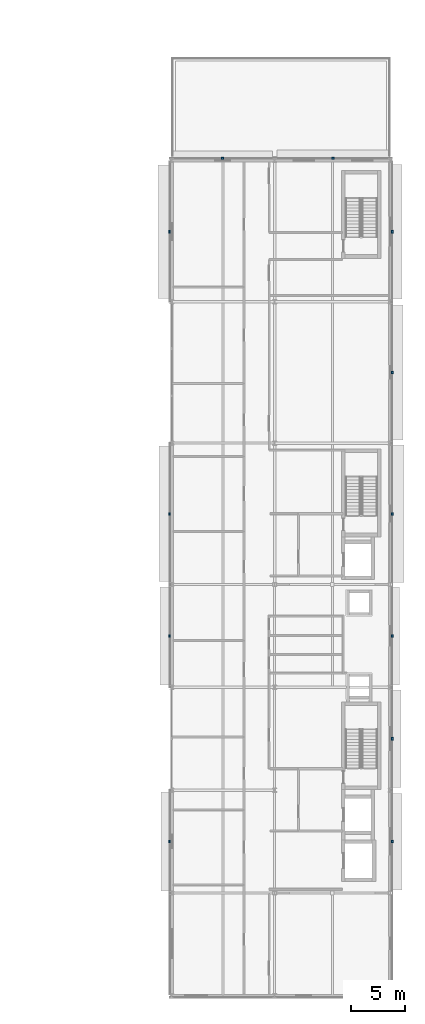
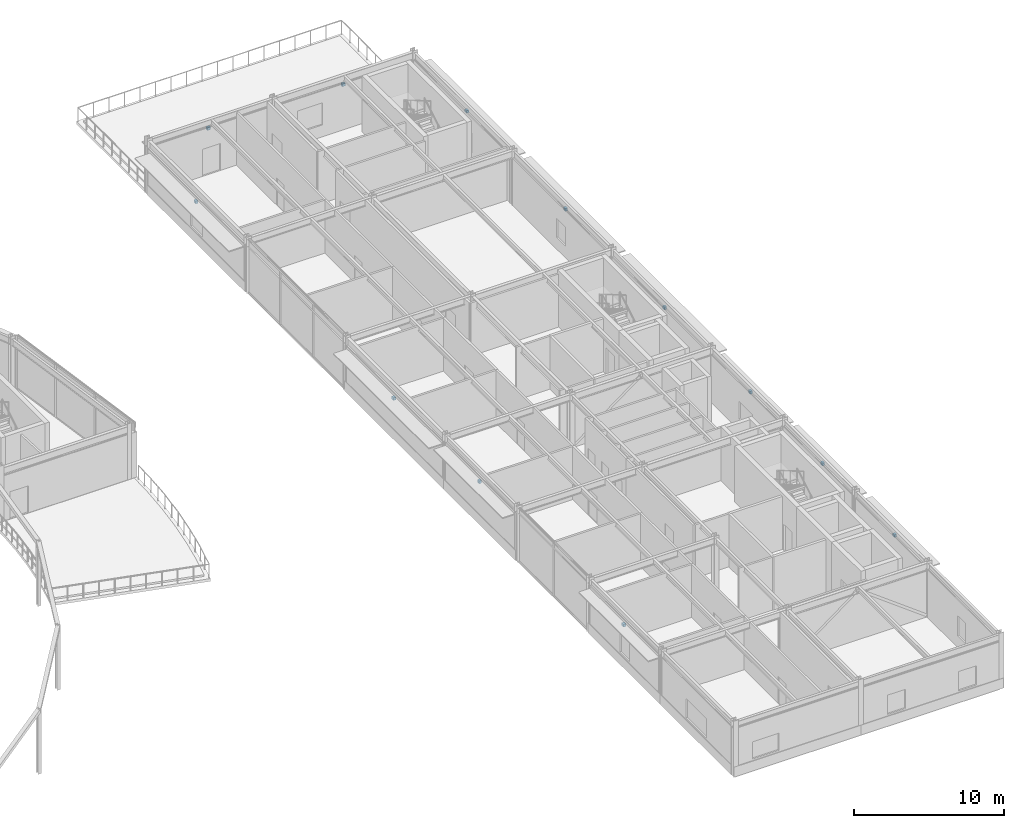
# One storey, part 75 of 89: 12 discrete accessories.
"""IFC4 building model written with IfcOpenShell, lengths in metres."""

from ifc_helpers import new_model, si_unit, direction, frame, origin, origin_2d, place, context, subcontext, project, spatial, rectangle, extrude, material, layer, layer_set, type_object, element, save


model = new_model("IFC4")

# Units and contexts
model_context = context("Model", 3, precision=1e-05, world=origin(), true_north=direction((0.0, 1.0)))
body_context = subcontext(model_context, "Body", "Model", "MODEL_VIEW")
ifc_project = project(units=[si_unit("LENGTHUNIT", "METRE"), si_unit("AREAUNIT", "SQUARE_METRE"), si_unit("VOLUMEUNIT", "CUBIC_METRE"), si_unit("PLANEANGLEUNIT", "RADIAN"), si_unit("MASSUNIT", "GRAM", prefix="KILO")], contexts=[model_context])

# Site, building, storey
site_placement = place(None, origin())
site = spatial("IfcSite", under=ifc_project, at=site_placement, CompositionType="ELEMENT")
building_placement = place(site_placement, origin())
building = spatial("IfcBuilding", under=site, at=building_placement, Name="Almandine Court Research Institute", CompositionType="ELEMENT")
storey_placement = place(building_placement, frame((0.0, 0.0, 18.89990234375)))
storey = spatial("IfcBuildingStorey", under=building, at=storey_placement, Name="L04", CompositionType="ELEMENT", Elevation=18.89990234375)

# Discrete accessories
ifc_material = material(Name="Galvanised Steel Facade Outrigger Bracket", Category="steel")
ifc_layer = layer(ifc_material, 0.219970703125)
ifc_layer_set = layer_set([ifc_layer], Name="Galvanised Steel Facade Outrigger Bracket")
discrete_accessory_type = type_object("IfcDiscreteAccessoryType", Name="Acc-CHJ-BRACKET", PredefinedType="BRACKET", material=ifc_layer_set)
for number, where, z_axis, x_axis, name in (
    (1, (153.39501953125, 20.39990234375, 3.462890625), (0.0, 0.0, 1.0), (0.0, 1.0, 0.0), "L04 Chhajja Outrigger Bracket 116"),
    (2, (153.39501953125, 39.60009765625, 3.462890625), (0.0, 0.0, 1.0), (0.0, 1.0, 0.0), "L04 Chhajja Outrigger Bracket 117"),
    (3, (153.39501953125, 51.0, 3.31201171875), (0.0, 0.0, 1.0), (0.0, 1.0, 0.0), "L04 Chhajja Outrigger Bracket 118"),
    (4, (153.39501953125, 77.327880859375, 3.31201171875), (0.0, 0.0, 1.0), (0.0, 1.0, 0.0), "L04 Chhajja Outrigger Bracket 119"),
    (5, (158.325927734375, 84.205078125, 3.3798828125), (0.0, 0.0, 1.0), (1.0, 0.0, 0.0), "L04 Chhajja Outrigger Bracket 120"),
    (6, (168.675048828125, 84.205078125, 3.30419921875), (0.0, 0.0, 1.0), (1.0, 0.0, 0.0), "L04 Chhajja Outrigger Bracket 121"),
    (7, (174.205078125, 77.327880859375, 3.38623046875), (0.0, 0.0, 1.0), (0.0, -1.0, 0.0), "L04 Chhajja Outrigger Bracket 122"),
    (8, (174.205078125, 64.199951171875, 3.38623046875), (0.0, 0.0, 1.0), (0.0, -1.0, 0.0), "L04 Chhajja Outrigger Bracket 123"),
    (9, (174.205078125, 51.0, 3.38623046875), (0.0, 0.0, 1.0), (0.0, -1.0, 0.0), "L04 Chhajja Outrigger Bracket 124"),
    (10, (174.205078125, 39.60009765625, 3.4541015625), (0.0, 0.0, 1.0), (0.0, -1.0, 0.0), "L04 Chhajja Outrigger Bracket 125"),
    (11, (174.205078125, 30.0, 3.4541015625), (0.0, 0.0, 1.0), (0.0, -1.0, 0.0), "L04 Chhajja Outrigger Bracket 126"),
    (12, (174.205078125, 20.39990234375, 3.4541015625), (0.0, 0.0, 1.0), (0.0, -1.0, 0.0), "L04 Chhajja Outrigger Bracket 127"),
):
    element("IfcDiscreteAccessory", number, at=place(storey_placement, frame(where, z_axis=z_axis, x_axis=x_axis)), inside=storey, type_object=discrete_accessory_type, Name=name, PredefinedType="BRACKET", context=body_context, shape_type="SweptSolid", body=[
        extrude(rectangle(XDim=0.239990234375, YDim=0.179931640625, at=origin_2d()), origin(), (0.0, 0.0, 1.0), 0.219970703125),
    ])

save(model, "model.ifc")
